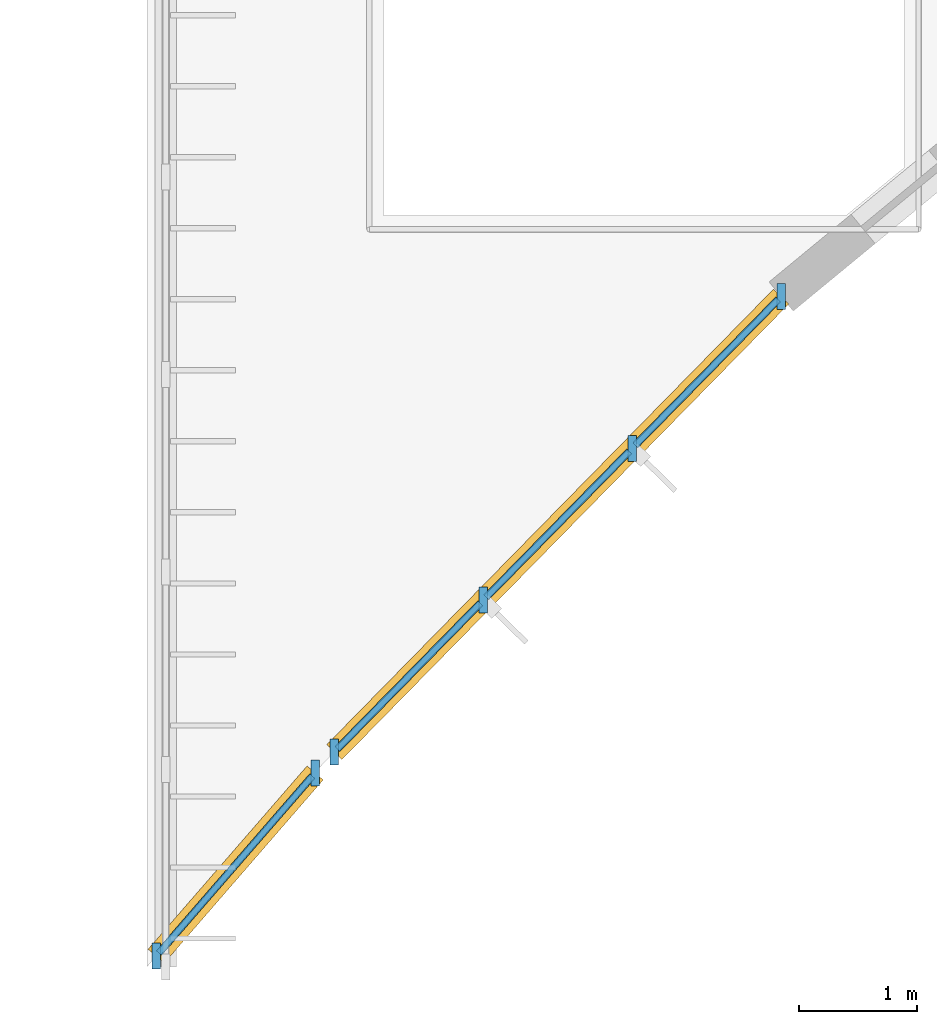
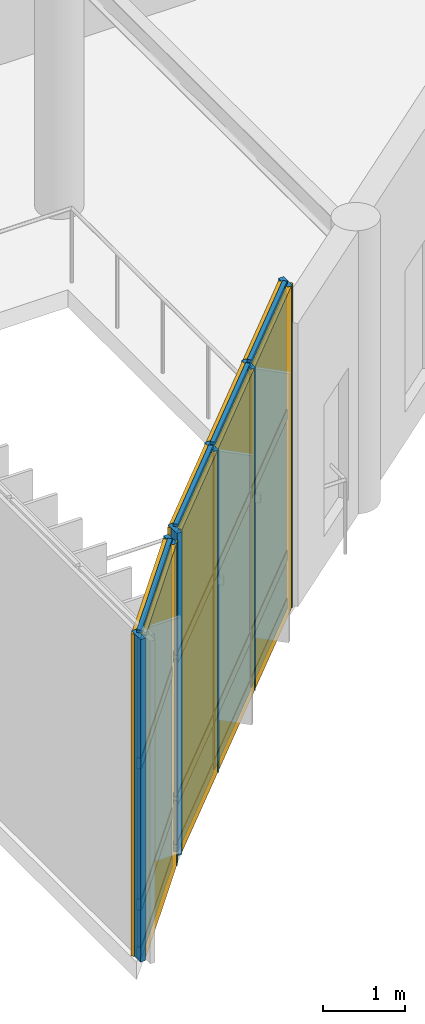
# One storey, part 56 of 104: 22 members, 12 plates, 2 curtain walls.
"""IFC4 building model written with IfcOpenShell, lengths in metres."""

from ifc_helpers import new_model, si_unit, direction, frame, frame_2d, origin, origin_2d, place, context, subcontext, project, spatial, rectangle, extrude, material, layer, layer_set, material_profile, profile_set, type_object, element, aggregate, save


model = new_model("IFC4")

# Units and contexts
model_context = context("Model", 3, precision=1e-05, world=origin(), true_north=direction((0.0, 1.0)))
body_context = subcontext(model_context, "Body", "Model", "MODEL_VIEW")
ifc_project = project(units=[si_unit("LENGTHUNIT", "METRE"), si_unit("AREAUNIT", "SQUARE_METRE"), si_unit("VOLUMEUNIT", "CUBIC_METRE"), si_unit("PLANEANGLEUNIT", "RADIAN"), si_unit("MASSUNIT", "GRAM", prefix="KILO")], contexts=[model_context])

# Member
ifc_material_1 = material(Name="Anodised Bronze Aluminium 6063-T6", Category="aluminium")
ifc_material_profile_1 = material_profile(ifc_material_1, rectangle(XDim=0.070068359375, YDim=0.219970703125, at=origin_2d()), Name="ALU MULLION 70x220")
ifc_profile_set_1 = profile_set([ifc_material_profile_1], Name="Anodised Bronze Aluminium 6063-T6")
member_type_1 = type_object("IfcMemberType", Name="Curtain-Wall Heavy Mullion 70x220", PredefinedType="MULLION", material=ifc_profile_set_1)
site_placement = place(None, origin())
building_placement = place(site_placement, origin())
storey_placement = place(building_placement, frame((0.0, 0.0, 9.0)))
member_1_placement = place(storey_placement, frame((36.07861328125, 1.540771484375, 0.0), z_axis=(0.0, 0.0, 1.0), x_axis=(1.0, 0.0, 0.0)))
member_1 = element("IfcMember", 1, at=member_1_placement, type_object=member_type_1, Name="Mullion CWM-02 CW-V5-CRN-L02-C01-M01", PredefinedType="MULLION", context=body_context, shape_type="SweptSolid", body=[
    extrude(rectangle(XDim=0.070068359375, YDim=0.219970703125, at=origin_2d()), origin(), (0.0, 0.0, 1.0), 4.780029296875),
])

member_2_placement = place(storey_placement, frame((37.42138671875, 3.089111328125, 0.0), z_axis=(0.0, 0.0, 1.0), x_axis=(1.0, 0.0, 0.0)))
member_2 = element("IfcMember", 2, at=member_2_placement, type_object=member_type_1, Name="Mullion CWM-02 CW-V5-CRN-L02-C01-M02", PredefinedType="MULLION", context=body_context, shape_type="SweptSolid", body=[
    extrude(rectangle(XDim=0.070068359375, YDim=0.219970703125, at=origin_2d()), origin(), (0.0, 0.0, 1.0), 4.780029296875),
])

member_3_placement = place(storey_placement, frame((37.583984375, 3.265380859375, 0.0), z_axis=(0.0, 0.0, 1.0), x_axis=(1.0, 0.0, 0.0)))
member_3 = element("IfcMember", 3, at=member_3_placement, type_object=member_type_1, Name="Mullion CWM-02 CW-V5-CRN-L02-C02-M01", PredefinedType="MULLION", context=body_context, shape_type="SweptSolid", body=[
    extrude(rectangle(XDim=0.070068359375, YDim=0.219970703125, at=origin_2d()), origin(), (0.0, 0.0, 1.0), 4.780029296875),
])

member_4_placement = place(storey_placement, frame((38.842041015625, 4.548095703125, 0.0), z_axis=(0.0, 0.0, 1.0), x_axis=(1.0, 0.0, 0.0)))
member_4 = element("IfcMember", 4, at=member_4_placement, type_object=member_type_1, Name="Mullion CWM-02 CW-V5-CRN-L02-C02-M02", PredefinedType="MULLION", context=body_context, shape_type="SweptSolid", body=[
    extrude(rectangle(XDim=0.070068359375, YDim=0.219970703125, at=origin_2d()), origin(), (0.0, 0.0, 1.0), 4.780029296875),
])

member_5_placement = place(storey_placement, frame((40.10009765625, 5.830810546875, 0.0), z_axis=(0.0, 0.0, 1.0), x_axis=(1.0, 0.0, 0.0)))
member_5 = element("IfcMember", 5, at=member_5_placement, type_object=member_type_1, Name="Mullion CWM-02 CW-V5-CRN-L02-C02-M03", PredefinedType="MULLION", context=body_context, shape_type="SweptSolid", body=[
    extrude(rectangle(XDim=0.070068359375, YDim=0.219970703125, at=origin_2d()), origin(), (0.0, 0.0, 1.0), 4.780029296875),
])

member_6_placement = place(storey_placement, frame((41.358154296875, 7.11328125, 0.0), z_axis=(0.0, 0.0, 1.0), x_axis=(1.0, 0.0, 0.0)))
member_6 = element("IfcMember", 6, at=member_6_placement, type_object=member_type_1, Name="Mullion CWM-02 CW-V5-CRN-L02-C02-M04", PredefinedType="MULLION", context=body_context, shape_type="SweptSolid", body=[
    extrude(rectangle(XDim=0.070068359375, YDim=0.219970703125, at=origin_2d()), origin(), (0.0, 0.0, 1.0), 4.780029296875),
])

ifc_material_profile_2 = material_profile(ifc_material_1, rectangle(XDim=0.06005859375, YDim=0.159912109375, at=origin_2d()), Name="ALU TRANSOM 60x160")
ifc_profile_set_2 = profile_set([ifc_material_profile_2], Name="Anodised Bronze Aluminium 6063-T6")
member_type_2 = type_object("IfcMemberType", Name="Curtain-Wall Heavy Transom 60x160", PredefinedType="USERDEFINED", material=ifc_profile_set_2)
member_7_placement = place(storey_placement, frame((36.1015625, 1.567138671875, 0.0400390625), z_axis=(0.655127718536, 0.755518148297, 0.0), x_axis=(-0.755518148297, 0.655127718536, 0.0)))
member_7 = element("IfcMember", 7, at=member_7_placement, type_object=member_type_2, Name="Transom CWT-02 CW-V5-CRN-L02-C01-T01.1", ObjectType="TRANSOM", PredefinedType="USERDEFINED", context=body_context, shape_type="SweptSolid", body=[
    extrude(rectangle(XDim=0.06005859375, YDim=0.159912109375, at=origin_2d()), origin(), (0.0, 0.0, 1.0), 1.9794921875),
])

member_8_placement = place(storey_placement, frame((36.1015625, 1.567138671875, 0.75), z_axis=(0.655127718536, 0.755518148297, 0.0), x_axis=(-0.755518148297, 0.655127718536, 0.0)))
member_8 = element("IfcMember", 8, at=member_8_placement, type_object=member_type_2, Name="Transom CWT-02 CW-V5-CRN-L02-C01-T01.2", ObjectType="TRANSOM", PredefinedType="USERDEFINED", context=body_context, shape_type="SweptSolid", body=[
    extrude(rectangle(XDim=0.06005859375, YDim=0.159912109375, at=origin_2d()), origin(), (0.0, 0.0, 1.0), 1.9794921875),
])

member_9_placement = place(storey_placement, frame((36.1015625, 1.567138671875, 2.845703125), z_axis=(0.655127718536, 0.755518148297, 0.0), x_axis=(-0.755518148297, 0.655127718536, 0.0)))
member_9 = element("IfcMember", 9, at=member_9_placement, type_object=member_type_2, Name="Transom CWT-02 CW-V5-CRN-L02-C01-T01.3", ObjectType="TRANSOM", PredefinedType="USERDEFINED", context=body_context, shape_type="SweptSolid", body=[
    extrude(rectangle(XDim=0.06005859375, YDim=0.159912109375, at=origin_2d()), origin(), (0.0, 0.0, 1.0), 1.9794921875),
])

member_10_placement = place(storey_placement, frame((36.1015625, 1.567138671875, 4.739990234375), z_axis=(0.655127718536, 0.755518148297, 0.0), x_axis=(-0.755518148297, 0.655127718536, 0.0)))
member_10 = element("IfcMember", 10, at=member_10_placement, type_object=member_type_2, Name="Transom CWT-02 CW-V5-CRN-L02-C01-T01.4", ObjectType="TRANSOM", PredefinedType="USERDEFINED", context=body_context, shape_type="SweptSolid", body=[
    extrude(rectangle(XDim=0.06005859375, YDim=0.159912109375, at=origin_2d()), origin(), (0.0, 0.0, 1.0), 1.9794921875),
])

member_11_placement = place(storey_placement, frame((37.6083984375, 3.29052734375, 0.0400390625), z_axis=(0.700287657852, 0.713860768119, 0.0), x_axis=(-0.713860768119, 0.700287657852, 0.0)))
member_11 = element("IfcMember", 11, at=member_11_placement, type_object=member_type_2, Name="Transom CWT-02 CW-V5-CRN-L02-C02-T01.1", ObjectType="TRANSOM", PredefinedType="USERDEFINED", context=body_context, shape_type="SweptSolid", body=[
    extrude(rectangle(XDim=0.06005859375, YDim=0.159912109375, at=origin_2d()), origin(), (0.0, 0.0, 1.0), 1.726806640625),
])

member_12_placement = place(storey_placement, frame((37.6083984375, 3.29052734375, 0.75), z_axis=(0.700287657852, 0.713860768119, 0.0), x_axis=(-0.713860768119, 0.700287657852, 0.0)))
member_12 = element("IfcMember", 12, at=member_12_placement, type_object=member_type_2, Name="Transom CWT-02 CW-V5-CRN-L02-C02-T01.2", ObjectType="TRANSOM", PredefinedType="USERDEFINED", context=body_context, shape_type="SweptSolid", body=[
    extrude(rectangle(XDim=0.06005859375, YDim=0.159912109375, at=origin_2d()), origin(), (0.0, 0.0, 1.0), 1.726806640625),
])

member_13_placement = place(storey_placement, frame((37.6083984375, 3.29052734375, 2.845703125), z_axis=(0.700287657852, 0.713860768119, 0.0), x_axis=(-0.713860768119, 0.700287657852, 0.0)))
member_13 = element("IfcMember", 13, at=member_13_placement, type_object=member_type_2, Name="Transom CWT-02 CW-V5-CRN-L02-C02-T01.3", ObjectType="TRANSOM", PredefinedType="USERDEFINED", context=body_context, shape_type="SweptSolid", body=[
    extrude(rectangle(XDim=0.06005859375, YDim=0.159912109375, at=origin_2d()), origin(), (0.0, 0.0, 1.0), 1.726806640625),
])

member_14_placement = place(storey_placement, frame((37.6083984375, 3.29052734375, 4.739990234375), z_axis=(0.700287657852, 0.713860768119, 0.0), x_axis=(-0.713860768119, 0.700287657852, 0.0)))
member_14 = element("IfcMember", 14, at=member_14_placement, type_object=member_type_2, Name="Transom CWT-02 CW-V5-CRN-L02-C02-T01.4", ObjectType="TRANSOM", PredefinedType="USERDEFINED", context=body_context, shape_type="SweptSolid", body=[
    extrude(rectangle(XDim=0.06005859375, YDim=0.159912109375, at=origin_2d()), origin(), (0.0, 0.0, 1.0), 1.726806640625),
])

member_15_placement = place(storey_placement, frame((38.86669921875, 4.572998046875, 0.0400390625), z_axis=(0.700215596953, 0.71393145174, 0.0), x_axis=(-0.71393145174, 0.700215596953, 0.0)))
member_15 = element("IfcMember", 15, at=member_15_placement, type_object=member_type_2, Name="Transom CWT-02 CW-V5-CRN-L02-C02-T02.1", ObjectType="TRANSOM", PredefinedType="USERDEFINED", context=body_context, shape_type="SweptSolid", body=[
    extrude(rectangle(XDim=0.06005859375, YDim=0.159912109375, at=origin_2d()), origin(), (0.0, 0.0, 1.0), 1.7265625),
])

member_16_placement = place(storey_placement, frame((38.86669921875, 4.572998046875, 0.75), z_axis=(0.700215596953, 0.71393145174, 0.0), x_axis=(-0.71393145174, 0.700215596953, 0.0)))
member_16 = element("IfcMember", 16, at=member_16_placement, type_object=member_type_2, Name="Transom CWT-02 CW-V5-CRN-L02-C02-T02.2", ObjectType="TRANSOM", PredefinedType="USERDEFINED", context=body_context, shape_type="SweptSolid", body=[
    extrude(rectangle(XDim=0.06005859375, YDim=0.159912109375, at=origin_2d()), origin(), (0.0, 0.0, 1.0), 1.7265625),
])

member_17_placement = place(storey_placement, frame((38.86669921875, 4.572998046875, 2.845703125), z_axis=(0.700215596953, 0.71393145174, 0.0), x_axis=(-0.71393145174, 0.700215596953, 0.0)))
member_17 = element("IfcMember", 17, at=member_17_placement, type_object=member_type_2, Name="Transom CWT-02 CW-V5-CRN-L02-C02-T02.3", ObjectType="TRANSOM", PredefinedType="USERDEFINED", context=body_context, shape_type="SweptSolid", body=[
    extrude(rectangle(XDim=0.06005859375, YDim=0.159912109375, at=origin_2d()), origin(), (0.0, 0.0, 1.0), 1.7265625),
])

member_18_placement = place(storey_placement, frame((38.86669921875, 4.572998046875, 4.739990234375), z_axis=(0.700215596953, 0.71393145174, 0.0), x_axis=(-0.71393145174, 0.700215596953, 0.0)))
member_18 = element("IfcMember", 18, at=member_18_placement, type_object=member_type_2, Name="Transom CWT-02 CW-V5-CRN-L02-C02-T02.4", ObjectType="TRANSOM", PredefinedType="USERDEFINED", context=body_context, shape_type="SweptSolid", body=[
    extrude(rectangle(XDim=0.06005859375, YDim=0.159912109375, at=origin_2d()), origin(), (0.0, 0.0, 1.0), 1.7265625),
])

member_19_placement = place(storey_placement, frame((40.12451171875, 5.855712890625, 0.0400390625), z_axis=(0.700287657852, 0.713860768119, 0.0), x_axis=(-0.713860768119, 0.700287657852, 0.0)))
member_19 = element("IfcMember", 19, at=member_19_placement, type_object=member_type_2, Name="Transom CWT-02 CW-V5-CRN-L02-C02-T03.1", ObjectType="TRANSOM", PredefinedType="USERDEFINED", context=body_context, shape_type="SweptSolid", body=[
    extrude(rectangle(XDim=0.06005859375, YDim=0.159912109375, at=origin_2d()), origin(), (0.0, 0.0, 1.0), 1.726806640625),
])

member_20_placement = place(storey_placement, frame((40.12451171875, 5.855712890625, 0.75), z_axis=(0.700287657852, 0.713860768119, 0.0), x_axis=(-0.713860768119, 0.700287657852, 0.0)))
member_20 = element("IfcMember", 20, at=member_20_placement, type_object=member_type_2, Name="Transom CWT-02 CW-V5-CRN-L02-C02-T03.2", ObjectType="TRANSOM", PredefinedType="USERDEFINED", context=body_context, shape_type="SweptSolid", body=[
    extrude(rectangle(XDim=0.06005859375, YDim=0.159912109375, at=origin_2d()), origin(), (0.0, 0.0, 1.0), 1.726806640625),
])

member_21_placement = place(storey_placement, frame((40.12451171875, 5.855712890625, 2.845703125), z_axis=(0.700287657852, 0.713860768119, 0.0), x_axis=(-0.713860768119, 0.700287657852, 0.0)))
member_21 = element("IfcMember", 21, at=member_21_placement, type_object=member_type_2, Name="Transom CWT-02 CW-V5-CRN-L02-C02-T03.3", ObjectType="TRANSOM", PredefinedType="USERDEFINED", context=body_context, shape_type="SweptSolid", body=[
    extrude(rectangle(XDim=0.06005859375, YDim=0.159912109375, at=origin_2d()), origin(), (0.0, 0.0, 1.0), 1.726806640625),
])

member_22_placement = place(storey_placement, frame((40.12451171875, 5.855712890625, 4.739990234375), z_axis=(0.700287657852, 0.713860768119, 0.0), x_axis=(-0.713860768119, 0.700287657852, 0.0)))
member_22 = element("IfcMember", 22, at=member_22_placement, type_object=member_type_2, Name="Transom CWT-02 CW-V5-CRN-L02-C02-T03.4", ObjectType="TRANSOM", PredefinedType="USERDEFINED", context=body_context, shape_type="SweptSolid", body=[
    extrude(rectangle(XDim=0.06005859375, YDim=0.159912109375, at=origin_2d()), origin(), (0.0, 0.0, 1.0), 1.726806640625),
])

# Plate
ifc_material_2 = material(Name="Double Low-E Acoustic Laminated Glass", Category="glass")
ifc_layer_1 = layer(ifc_material_2, 0.0439453125, Name="Double Low-E Acoustic Laminated Glass")
ifc_layer_set_1 = layer_set([ifc_layer_1], Name="Double Low-E Acoustic Laminated Glass")
plate_type_1 = type_object("IfcPlateType", Name="Acoustic Laminated Low-E Glazing Unit 44", PredefinedType="CURTAIN_PANEL", material=ifc_layer_set_1)
plate_1_placement = place(storey_placement, frame((36.75, 2.31494140625, 0.780029296875), z_axis=(0.0, 0.0, 1.0), x_axis=(0.655168134077, 0.755483101128, 0.0)))
plate_1 = element("IfcPlate", 23, at=plate_1_placement, type_object=plate_type_1, Name="Curtain Panel CWP-01 CW-V5-CRN-L02-C01-P01.2", PredefinedType="CURTAIN_PANEL", context=body_context, shape_type="SweptSolid", body=[
    extrude(rectangle(XDim=1.9794921875, YDim=0.0439453125, at=origin_2d()), origin(), (0.0, 0.0, 1.0), 2.03564453125),
])

plate_2_placement = place(storey_placement, frame((36.75, 2.31494140625, 2.87548828125), z_axis=(0.0, 0.0, 1.0), x_axis=(0.655168134077, 0.755483101128, 0.0)))
plate_2 = element("IfcPlate", 24, at=plate_2_placement, type_object=plate_type_1, Name="Curtain Panel CWP-01 CW-V5-CRN-L02-C01-P01.3", PredefinedType="CURTAIN_PANEL", context=body_context, shape_type="SweptSolid", body=[
    extrude(rectangle(XDim=1.9794921875, YDim=0.0439453125, at=origin_2d()), origin(), (0.0, 0.0, 1.0), 1.83447265625),
])

plate_3_placement = place(storey_placement, frame((38.212890625, 3.90673828125, 0.780029296875), z_axis=(0.0, 0.0, 1.0), x_axis=(0.700246698398, 0.713900946479, 0.0)))
plate_3 = element("IfcPlate", 25, at=plate_3_placement, type_object=plate_type_1, Name="Curtain Panel CWP-01 CW-V5-CRN-L02-C02-P01.2", PredefinedType="CURTAIN_PANEL", context=body_context, shape_type="SweptSolid", body=[
    extrude(rectangle(XDim=1.7265625, YDim=0.0439453125, at=origin_2d()), origin(), (0.0, 0.0, 1.0), 2.03564453125),
])

plate_4_placement = place(storey_placement, frame((38.212890625, 3.90673828125, 2.87548828125), z_axis=(0.0, 0.0, 1.0), x_axis=(0.700246698398, 0.713900946479, 0.0)))
plate_4 = element("IfcPlate", 26, at=plate_4_placement, type_object=plate_type_1, Name="Curtain Panel CWP-01 CW-V5-CRN-L02-C02-P01.3", PredefinedType="CURTAIN_PANEL", context=body_context, shape_type="SweptSolid", body=[
    extrude(rectangle(XDim=1.7265625, YDim=0.0439453125, at=origin_2d()), origin(), (0.0, 0.0, 1.0), 1.83447265625),
])

plate_5_placement = place(storey_placement, frame((39.47119140625, 5.189453125, 0.780029296875), z_axis=(0.0, 0.0, 1.0), x_axis=(0.700246698398, 0.713900946479, 0.0)))
plate_5 = element("IfcPlate", 27, at=plate_5_placement, type_object=plate_type_1, Name="Curtain Panel CWP-01 CW-V5-CRN-L02-C02-P02.2", PredefinedType="CURTAIN_PANEL", context=body_context, shape_type="SweptSolid", body=[
    extrude(rectangle(XDim=1.7265625, YDim=0.0439453125, at=origin_2d()), origin(), (0.0, 0.0, 1.0), 2.03564453125),
])

plate_6_placement = place(storey_placement, frame((39.47119140625, 5.189453125, 2.87548828125), z_axis=(0.0, 0.0, 1.0), x_axis=(0.700246698398, 0.713900946479, 0.0)))
plate_6 = element("IfcPlate", 28, at=plate_6_placement, type_object=plate_type_1, Name="Curtain Panel CWP-01 CW-V5-CRN-L02-C02-P02.3", PredefinedType="CURTAIN_PANEL", context=body_context, shape_type="SweptSolid", body=[
    extrude(rectangle(XDim=1.7265625, YDim=0.0439453125, at=origin_2d()), origin(), (0.0, 0.0, 1.0), 1.83447265625),
])

plate_7_placement = place(storey_placement, frame((40.729248046875, 6.471923828125, 0.780029296875), z_axis=(0.0, 0.0, 1.0), x_axis=(0.700246698398, 0.713900946479, 0.0)))
plate_7 = element("IfcPlate", 29, at=plate_7_placement, type_object=plate_type_1, Name="Curtain Panel CWP-01 CW-V5-CRN-L02-C02-P03.2", PredefinedType="CURTAIN_PANEL", context=body_context, shape_type="SweptSolid", body=[
    extrude(rectangle(XDim=1.7265625, YDim=0.0439453125, at=origin_2d()), origin(), (0.0, 0.0, 1.0), 2.03564453125),
])

plate_8_placement = place(storey_placement, frame((40.729248046875, 6.471923828125, 2.87548828125), z_axis=(0.0, 0.0, 1.0), x_axis=(0.700246698398, 0.713900946479, 0.0)))
plate_8 = element("IfcPlate", 30, at=plate_8_placement, type_object=plate_type_1, Name="Curtain Panel CWP-01 CW-V5-CRN-L02-C02-P03.3", PredefinedType="CURTAIN_PANEL", context=body_context, shape_type="SweptSolid", body=[
    extrude(rectangle(XDim=1.7265625, YDim=0.0439453125, at=origin_2d()), origin(), (0.0, 0.0, 1.0), 1.83447265625),
])

ifc_material_3 = material(Name="Ceramic-Fritted Tempered Laminated Glass", Category="glass")
ifc_layer_2 = layer(ifc_material_3, 0.0458984375, Name="Ceramic-Fritted Tempered Laminated Glass")
ifc_layer_set_2 = layer_set([ifc_layer_2], Name="Ceramic-Fritted Tempered Laminated Glass")
plate_type_2 = type_object("IfcPlateType", Name="Ceramic-Frit Acoustic Spandrel Glazing 46", PredefinedType="CURTAIN_PANEL", material=ifc_layer_set_2)
plate_9_placement = place(storey_placement, frame((36.75, 2.31494140625, 0.070068359375), z_axis=(0.0, 0.0, 1.0), x_axis=(0.655168134077, 0.755483101128, 0.0)))
plate_9 = element("IfcPlate", 31, at=plate_9_placement, type_object=plate_type_2, Name="Curtain Panel CWP-04 CW-V5-CRN-L02-C01-P01.1", PredefinedType="CURTAIN_PANEL", context=body_context, shape_type="SweptSolid", body=[
    extrude(rectangle(XDim=1.9794921875, YDim=0.0458984375, at=origin_2d()), origin(), (0.0, 0.0, 1.0), 0.64990234375),
])

plate_10_placement = place(storey_placement, frame((38.212890625, 3.90673828125, 0.070068359375), z_axis=(0.0, 0.0, 1.0), x_axis=(0.700246698398, 0.713900946479, 0.0)))
plate_10 = element("IfcPlate", 32, at=plate_10_placement, type_object=plate_type_2, Name="Curtain Panel CWP-04 CW-V5-CRN-L02-C02-P01.1", PredefinedType="CURTAIN_PANEL", context=body_context, shape_type="SweptSolid", body=[
    extrude(rectangle(XDim=1.7265625, YDim=0.0458984375, at=origin_2d()), origin(), (0.0, 0.0, 1.0), 0.64990234375),
])

plate_11_placement = place(storey_placement, frame((39.47119140625, 5.189453125, 0.070068359375), z_axis=(0.0, 0.0, 1.0), x_axis=(0.700246698398, 0.713900946479, 0.0)))
plate_11 = element("IfcPlate", 33, at=plate_11_placement, type_object=plate_type_2, Name="Curtain Panel CWP-04 CW-V5-CRN-L02-C02-P02.1", PredefinedType="CURTAIN_PANEL", context=body_context, shape_type="SweptSolid", body=[
    extrude(rectangle(XDim=1.7265625, YDim=0.0458984375, at=origin_2d()), origin(), (0.0, 0.0, 1.0), 0.64990234375),
])

plate_12_placement = place(storey_placement, frame((40.729248046875, 6.471923828125, 0.070068359375), z_axis=(0.0, 0.0, 1.0), x_axis=(0.700246698398, 0.713900946479, 0.0)))
plate_12 = element("IfcPlate", 34, at=plate_12_placement, type_object=plate_type_2, Name="Curtain Panel CWP-04 CW-V5-CRN-L02-C02-P03.1", PredefinedType="CURTAIN_PANEL", context=body_context, shape_type="SweptSolid", body=[
    extrude(rectangle(XDim=1.7265625, YDim=0.0458984375, at=origin_2d()), origin(), (0.0, 0.0, 1.0), 0.64990234375),
])

# Site, building, storey
site = spatial("IfcSite", under=ifc_project, at=site_placement, CompositionType="ELEMENT")
building = spatial("IfcBuilding", under=site, at=building_placement, Name="Tazoul Stagehouse", CompositionType="ELEMENT")
storey = spatial("IfcBuildingStorey", under=building, at=storey_placement, Name="L02", CompositionType="ELEMENT", Elevation=9.0)

# Curtain wall
curtain_wall_type = type_object("IfcCurtainWallType", Name="Crescent Double-Skin Acoustic Curtain Wall", PredefinedType="NOTDEFINED", material=ifc_material_1)
curtain_wall_1_placement = place(storey_placement, frame((36.07861328125, 1.540771484375, 0.0), z_axis=(0.0, 0.0, 1.0), x_axis=(0.655175401154, 0.755476798931, 0.0)))
curtain_wall_1 = element("IfcCurtainWall", 35, at=curtain_wall_1_placement, inside=storey, type_object=curtain_wall_type, Name="L02 Curtain Wall CW-01 (CW-V5-CRN-L02-C01)", PredefinedType="NOTDEFINED", context=body_context, shape_type="SweptSolid", body=[
    extrude(rectangle(XDim=2.049560546875, YDim=0.179931640625, at=frame_2d((1.02490234375, 0.0))), origin(), (0.0, 0.0, 1.0), 4.780029296875),
])

aggregate(curtain_wall_1, [member_1, member_2, member_7, member_8, member_9, member_10, plate_9, plate_1, plate_2])

curtain_wall_2_placement = place(storey_placement, frame((37.583984375, 3.265380859375, 0.0), z_axis=(0.0, 0.0, 1.0), x_axis=(0.700233974264, 0.713913427025, 0.0)))
curtain_wall_2 = element("IfcCurtainWall", 36, at=curtain_wall_2_placement, inside=storey, type_object=curtain_wall_type, Name="L02 Curtain Wall CW-01 (CW-V5-CRN-L02-C02)", PredefinedType="NOTDEFINED", context=body_context, shape_type="SweptSolid", body=[
    extrude(rectangle(XDim=5.389892578125, YDim=0.179931640625, at=frame_2d((2.69482421875, 0.0))), origin(), (0.0, 0.0, 1.0), 4.780029296875),
])

aggregate(curtain_wall_2, [member_3, member_4, member_5, member_6, member_11, member_12, member_13, member_14, plate_10, plate_3, plate_4, member_15, member_16, member_17, member_18, plate_11, plate_5, plate_6, member_19, member_20, member_21, member_22, plate_12, plate_7, plate_8])

save(model, "model.ifc")
